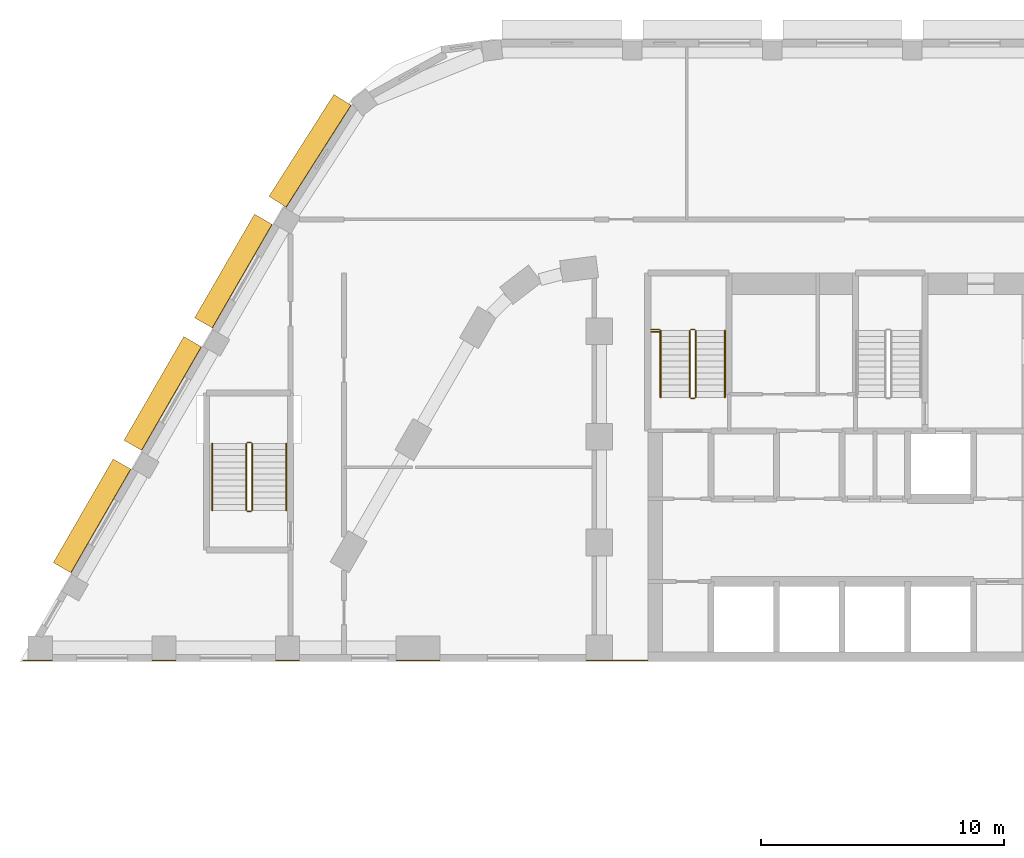
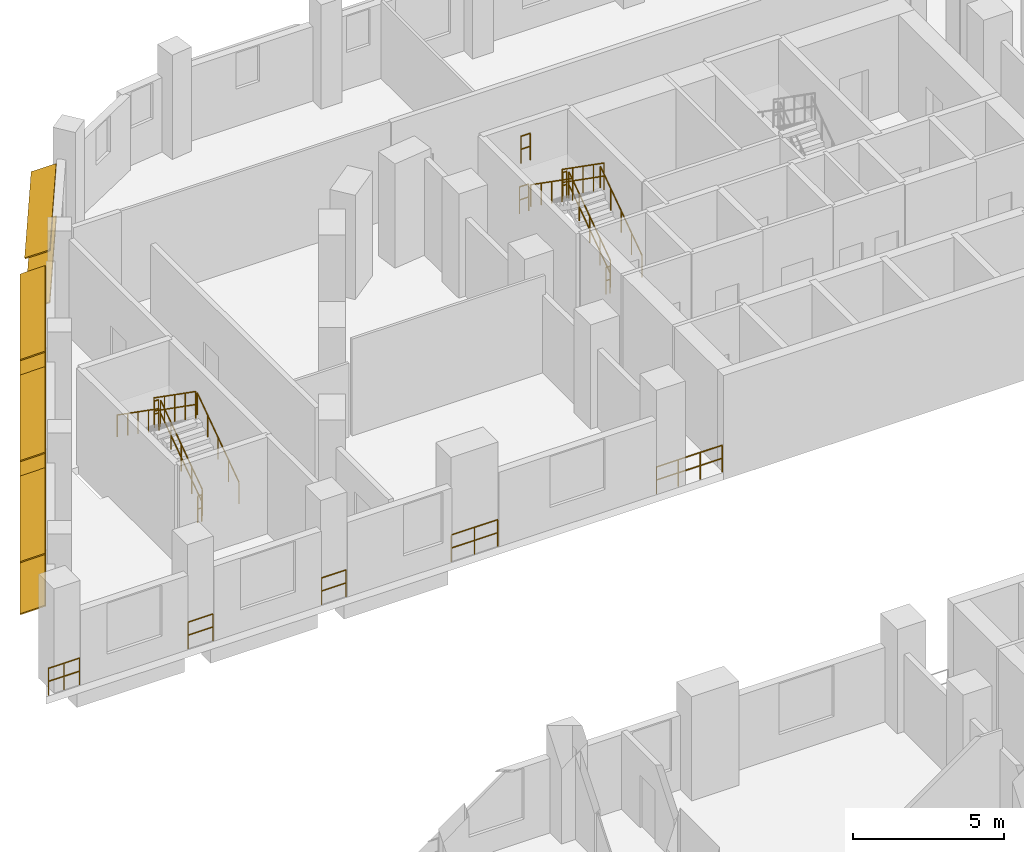
# One storey, part 30 of 33: 19 railings, 8 shading devices.
"""IFC4 building model written with IfcOpenShell, lengths in metres."""

import ifcopenshell
import ifcopenshell.guid

model = None  # the IFC model being written
_history = None  # IfcOwnerHistory: only IFC2X3 demands one
_inside = {}  # id of a spatial element -> (the spatial element, [elements in it])
_under = {}  # id of a project, library or spatial element -> (it, [spatial elements below it])
_declared = {}  # id of a project -> (the project, [libraries it declares])
_typed = {}  # id of a type object -> (the type object, [elements of that type])
_made_of = {}  # id of a material, layer set ... -> (it, [elements and type objects made of it])


def new_model(schema):
    """Start an empty IFC model of exactly this schema.

    Asked for "IFC4X3", IfcOpenShell would pick the latest addendum, in which some entities
    have other attributes; the version numbers below select the first issue.
    IFC2X3 requires an IfcOwnerHistory on every rooted entity: one is made here for all.
    """
    global model, _history
    if schema == "IFC4X3":
        model = ifcopenshell.file(schema_version=(4, 3, 0, 0))
    else:
        model = ifcopenshell.file(schema=schema)
    _inside.clear()
    _under.clear()
    _declared.clear()
    _typed.clear()
    _made_of.clear()
    _history = None
    if model.schema == "IFC2X3":
        org = make("IfcOrganization", Name="unknown")
        user = make(
            "IfcPersonAndOrganization",
            ThePerson=make("IfcPerson", FamilyName="unknown"),
            TheOrganization=org,
        )
        app = make(
            "IfcApplication",
            ApplicationDeveloper=org,
            Version="unknown",
            ApplicationFullName="unknown",
            ApplicationIdentifier="unknown",
        )
        _history = make(
            "IfcOwnerHistory",
            OwningUser=user,
            OwningApplication=app,
            ChangeAction="ADDED",
            CreationDate=0,
        )
    return model


def make(cls, **values):
    """One entity of the class cls with the attributes given. An attribute that is None is left unset."""
    return model.create_entity(
        cls, **{name: value for name, value in values.items() if value is not None}
    )


def rooted(cls, **values):
    """An entity with a GlobalId (a new one), such as an element, a storey or a relation."""
    return make(cls, GlobalId=ifcopenshell.guid.new(), OwnerHistory=_history, **values)


def si_unit(unit_type, name, prefix=None):
    """IfcSIUnit, for example si_unit("LENGTHUNIT", "METRE", prefix="MILLI")."""
    return make("IfcSIUnit", UnitType=unit_type, Prefix=prefix, Name=name)


def assignment(units):
    """IfcUnitAssignment: the units of a project."""
    return None if units is None else make("IfcUnitAssignment", Units=units)


def point(xyz):
    """IfcCartesianPoint."""
    return None if xyz is None else make("IfcCartesianPoint", Coordinates=xyz)


def direction(xyz):
    """IfcDirection."""
    return None if xyz is None else make("IfcDirection", DirectionRatios=xyz)


def frame(location, z_axis=None, x_axis=None):
    """IfcAxis2Placement3D, a coordinate frame: its origin and axes. An axis left out is left unset."""
    return make(
        "IfcAxis2Placement3D",
        Location=point(location),
        Axis=direction(z_axis),
        RefDirection=direction(x_axis),
    )


def frame_2d(location, x_axis=None):
    """IfcAxis2Placement2D, a coordinate frame in the plane: its origin and x axis."""
    return make(
        "IfcAxis2Placement2D", Location=point(location), RefDirection=direction(x_axis)
    )


def origin():
    """The frame at (0, 0, 0) with its axes left unset."""
    return frame((0.0, 0.0, 0.0))


def origin_2d():
    """The frame at (0, 0) in the plane with its x axis left unset."""
    return frame_2d((0.0, 0.0))


def place(relative_to, where):
    """IfcLocalPlacement: puts the frame where relative to a parent placement (None: the world)."""
    return make(
        "IfcLocalPlacement", PlacementRelTo=relative_to, RelativePlacement=where
    )


def context(
    kind, dimensions, precision=None, world=None, true_north=None, identifier=None
):
    """IfcGeometricRepresentationContext, for example the 3D "Model" context."""
    return make(
        "IfcGeometricRepresentationContext",
        ContextIdentifier=identifier,
        ContextType=kind,
        CoordinateSpaceDimension=dimensions,
        Precision=precision,
        WorldCoordinateSystem=world,
        TrueNorth=true_north,
    )


def subcontext(parent, identifier, kind, view, scale=None):
    """IfcGeometricRepresentationSubContext, for example "Body" below "Model"."""
    return make(
        "IfcGeometricRepresentationSubContext",
        ContextIdentifier=identifier,
        ContextType=kind,
        ParentContext=parent,
        TargetScale=scale,
        TargetView=view,
    )


def project(units=None, contexts=None):
    """IfcProject with its units and contexts."""
    return rooted(
        "IfcProject",
        Name="project",
        RepresentationContexts=contexts,
        UnitsInContext=assignment(units),
    )


def spatial(cls, under=None, at=None, **own):
    """A site, building, storey or space (cls), placed at a placement, below another one or the project."""
    s = rooted(cls, ObjectPlacement=at, **own)
    if under is not None:
        _under.setdefault(under.id(), (under, []))[1].append(s)
    return s


def profile(cls, at=None, kind="AREA", **sizes):
    """A parametric profile (cls). Its sizes go by their IFC names, for example OverallWidth=200.0."""
    return make(cls, ProfileType=kind, Position=at, **sizes)


def rectangle(**sizes):
    """IfcRectangleProfileDef."""
    return profile("IfcRectangleProfileDef", **sizes)


def circle(**sizes):
    """IfcCircleProfileDef."""
    return profile("IfcCircleProfileDef", **sizes)


def extrude(swept, where, along, depth):
    """IfcExtrudedAreaSolid: the profile swept, set in the frame where, extruded along a direction by depth."""
    return make(
        "IfcExtrudedAreaSolid",
        SweptArea=swept,
        Position=where,
        ExtrudedDirection=direction(along),
        Depth=depth,
    )


def shape(context_of_items, identifier, shape_type, items):
    """IfcShapeRepresentation: the items that make up one representation, for example the "Body"."""
    return make(
        "IfcShapeRepresentation",
        ContextOfItems=context_of_items,
        RepresentationIdentifier=identifier,
        RepresentationType=shape_type,
        Items=items,
    )


def material(Name=None, Category=None):
    """IfcMaterial."""
    return make("IfcMaterial", Name=Name, Category=Category)


def material_profile(
    of_material, cross_section, Name=None, Category=None, Priority=None
):
    """IfcMaterialProfile: a cross section and its material."""
    return make(
        "IfcMaterialProfile",
        Name=Name,
        Material=of_material,
        Profile=cross_section,
        Priority=Priority,
        Category=Category,
    )


def profile_set(profiles, Name=None, composite=None):
    """IfcMaterialProfileSet."""
    return make(
        "IfcMaterialProfileSet",
        Name=Name,
        MaterialProfiles=profiles,
        CompositeProfile=composite,
    )


def made_of(thing, what):
    """Note that an element or type object is made of a material, layer set ...; save() writes the relation."""
    if what is not None:
        _made_of.setdefault(what.id(), (what, []))[1].append(thing)
    return thing


def type_object(cls, material=None, **own):
    """A type object (cls), such as IfcWallType, which elements share."""
    return made_of(rooted(cls, **own), material)


def element(
    cls,
    number,
    at=None,
    inside=None,
    cuts=None,
    type_object=None,
    material=None,
    context=None,
    identifier="Body",
    shape_type=None,
    held_by="IfcProductDefinitionShape",
    body=None,
    shapes=None,
    **own,
):
    """One element of the class cls, such as IfcWall. Its Tag is "e" and its number.

    at: its placement. inside: the storey or other place that contains it. cuts: it is an
    opening in that element (IfcRelVoidsElement). A single representation is given by context,
    identifier, shape_type and body (its items); several are given by shapes. held_by: the class
    of the entity that holds the representations. save() writes the other relations.
    """
    e = rooted(cls, Tag="e%d" % number, ObjectPlacement=at, **own)
    if body is not None:
        shapes = [shape(context, identifier, shape_type, body)]
    if shapes is not None:
        e.Representation = make(held_by, Representations=shapes)
    if inside is not None:
        _inside.setdefault(inside.id(), (inside, []))[1].append(e)
    if cuts is not None:
        rooted(
            "IfcRelVoidsElement", RelatingBuildingElement=cuts, RelatedOpeningElement=e
        )
    if type_object is not None:
        _typed.setdefault(type_object.id(), (type_object, []))[1].append(e)
    return made_of(e, material)


def aggregate(whole, parts):
    """IfcRelAggregates: a whole, such as a stair, and the parts it consists of."""
    return rooted("IfcRelAggregates", RelatingObject=whole, RelatedObjects=parts)


def save(model, path):
    """Write the relations noted so far, then the file.

    IfcRelAggregates (storeys below a building ...), IfcRelContainedInSpatialStructure (elements
    in a storey), IfcRelDefinesByType, IfcRelAssociatesMaterial and IfcRelDeclares: one each for
    every whole, place, type object, material and project.
    """
    for whole, parts in _under.values():
        aggregate(whole, parts)
    for where, things in _inside.values():
        rooted(
            "IfcRelContainedInSpatialStructure",
            RelatedElements=things,
            RelatingStructure=where,
        )
    for kind, things in _typed.values():
        rooted("IfcRelDefinesByType", RelatedObjects=things, RelatingType=kind)
    for what, things in _made_of.values():
        rooted("IfcRelAssociatesMaterial", RelatedObjects=things, RelatingMaterial=what)
    for by, libraries in _declared.values():
        rooted("IfcRelDeclares", RelatingContext=by, RelatedDefinitions=libraries)
    model.write(path)


model = new_model("IFC4")

# Units and contexts
model_context = context("Model", 3, precision=1e-05, world=origin(), true_north=direction((0.0, 1.0)))
body_context = subcontext(model_context, "Body", "Model", "MODEL_VIEW")
ifc_project = project(units=[si_unit("LENGTHUNIT", "METRE"), si_unit("AREAUNIT", "SQUARE_METRE"), si_unit("VOLUMEUNIT", "CUBIC_METRE"), si_unit("PLANEANGLEUNIT", "RADIAN"), si_unit("MASSUNIT", "GRAM", prefix="KILO")], contexts=[model_context])

# Site, building, storey
site_placement = place(None, origin())
site = spatial("IfcSite", under=ifc_project, at=site_placement, CompositionType="ELEMENT")
building_placement = place(site_placement, origin())
building = spatial("IfcBuilding", under=site, at=building_placement, Name="Nakaniwa Court", CompositionType="ELEMENT")
storey_placement = place(building_placement, frame((0.0, 0.0, 19.800048828125)))
storey = spatial("IfcBuildingStorey", under=building, at=storey_placement, Name="L04", CompositionType="ELEMENT", Elevation=19.800048828125)

# Shading devices
ifc_material_1 = material(Name="Perforated charcoal ceramic louvre blade")
ifc_material_profile = material_profile(ifc_material_1, rectangle(XDim=0.89990234375, YDim=0.050048828125, at=origin_2d()), Name="Perforated ceramic louvre blade")
ifc_profile_set = profile_set([ifc_material_profile], Name="Perforated charcoal ceramic louvre blade")
shading_device_type = type_object("IfcShadingDeviceType", Name="Perforated ceramic louvre blade", PredefinedType="JALOUSIE", material=ifc_profile_set)
for number, where, z_axis, x_axis, name in (
    (1, (56.184814453125, 105.6015625, 0.550048828125), (-0.499988503985, -0.86603204091, 0.0), (0.800109277096, -0.461929145323, 0.382683432365), "L04 perforated ceramic louvre blade w27 1"),
    (2, (56.184814453125, 105.6015625, 2.64990234375), (-0.499988503985, -0.86603204091, 0.0), (0.800109277096, -0.461929145323, 0.382683432365), "L04 perforated ceramic louvre blade w27 2"),
    (3, (53.2763671875, 100.564208984375, 0.550048828125), (-0.499951322638, -0.866053505849, 0.0), (0.800129108113, -0.461894794237, 0.382683432365), "L04 perforated ceramic louvre blade w28 1"),
    (4, (53.2763671875, 100.564208984375, 2.64990234375), (-0.499951322638, -0.866053505849, 0.0), (0.800129108113, -0.461894794237, 0.382683432365), "L04 perforated ceramic louvre blade w28 2"),
    (5, (50.3681640625, 95.526611328125, 0.550048828125), (-0.500009969958, -0.86601964755, 0.0), (0.800097827124, -0.461948977295, 0.382683432365), "L04 perforated ceramic louvre blade w29 1"),
    (6, (50.3681640625, 95.526611328125, 2.64990234375), (-0.500009969958, -0.86601964755, 0.0), (0.800097827124, -0.461948977295, 0.382683432365), "L04 perforated ceramic louvre blade w29 2"),
):
    element("IfcShadingDevice", number, at=place(storey_placement, frame(where, z_axis=z_axis, x_axis=x_axis)), inside=storey, type_object=shading_device_type, Name=name, PredefinedType="JALOUSIE", context=body_context, shape_type="SweptSolid", body=[
        extrude(rectangle(XDim=0.89990234375, YDim=0.050048828125, at=origin_2d()), origin(), (0.0, 0.0, 1.0), 4.9248046875),
    ])
for number, where, z_axis, x_axis, name in (
    (7, (59.44287109375, 110.513427734375, 0.550048828125), (-0.537237750098, -0.843430850675, 0.0), (0.775805827955, -0.494162831713, 0.392337116604), "L04 perforated ceramic louvre blade w53 1"),
    (8, (59.44287109375, 110.513427734375, 2.64990234375), (-0.537237750098, -0.843430850675, 0.0), (0.775805827955, -0.494162831713, 0.392337116604), "L04 perforated ceramic louvre blade w53 2"),
):
    element("IfcShadingDevice", number, at=place(storey_placement, frame(where, z_axis=z_axis, x_axis=x_axis)), inside=storey, type_object=shading_device_type, Name=name, PredefinedType="JALOUSIE", context=body_context, shape_type="SweptSolid", body=[
        extrude(rectangle(XDim=0.89990234375, YDim=0.050048828125, at=origin_2d()), origin(), (0.0, 0.0, 1.0), 4.970703125),
    ])

# Railings
ifc_material_2 = material(Name="Black powder coated steel guard", Category="steel")
railing_type_1 = type_object("IfcRailingType", Name="Stair guard 1100", PredefinedType="GUARDRAIL", material=ifc_material_2)
railing_1_placement = place(storey_placement, frame((73.97509765625, 98.27490234375, 0.175048828125)))
element("IfcRailing", 9, at=railing_1_placement, inside=storey, type_object=railing_type_1, Name="L04 ST1 stair guard 1", PredefinedType="GUARDRAIL", context=body_context, shape_type="SweptSolid", body=[
    extrude(circle(Radius=0.02392578125, at=origin_2d()), frame((0.0, 0.0, 1.076171875), z_axis=(0.0, 0.819259255306, 0.573423292687), x_axis=(-1.0, 0.0, 0.0)), (0.0, 0.0, 1.0), 3.356689453125),
    extrude(circle(Radius=0.02392578125, at=origin_2d()), frame((0.0, 0.0, 0.550048828125), z_axis=(0.0, 0.819259255306, 0.573423292687), x_axis=(-1.0, 0.0, 0.0)), (0.0, 0.0, 1.0), 3.356689453125),
    extrude(circle(Radius=0.02099609375, at=origin_2d()), origin(), (0.0, 0.0, 1.0), 1.052001953125),
    extrude(circle(Radius=0.02099609375, at=origin_2d()), frame((0.0, 0.6875, 0.481201171875)), (0.0, 0.0, 1.0), 1.052001953125),
    extrude(circle(Radius=0.02099609375, at=origin_2d()), frame((0.0, 1.375, 0.96240234375)), (0.0, 0.0, 1.0), 1.052001953125),
    extrude(circle(Radius=0.02099609375, at=origin_2d()), frame((0.0, 2.0625, 1.443603515625)), (0.0, 0.0, 1.0), 1.052001953125),
    extrude(circle(Radius=0.02099609375, at=origin_2d()), frame((0.0, 2.75, 1.9248046875)), (0.0, 0.0, 1.0), 1.052001953125),
])
railing_2_placement = place(storey_placement, frame((73.925048828125, 101.074951171875, 2.099853515625)))
element("IfcRailing", 10, at=railing_2_placement, inside=storey, type_object=railing_type_1, Name="L04 ST1 stair guard 2", PredefinedType="GUARDRAIL", context=body_context, shape_type="SweptSolid", body=[
    extrude(circle(Radius=0.02392578125, at=origin_2d()), frame((0.0, 0.0, 1.076171875), z_axis=(-1.0, 0.0, 0.0), x_axis=(0.0, -1.0, 0.0)), (0.0, 0.0, 1.0), 0.150146484375),
    extrude(circle(Radius=0.02392578125, at=origin_2d()), frame((0.0, 0.0, 0.550048828125), z_axis=(-1.0, 0.0, 0.0), x_axis=(0.0, -1.0, 0.0)), (0.0, 0.0, 1.0), 0.150146484375),
    extrude(circle(Radius=0.02099609375, at=origin_2d()), origin(), (0.0, 0.0, 1.0), 1.052001953125),
    extrude(circle(Radius=0.02099609375, at=origin_2d()), frame((-0.150146484375, 0.0, 0.0)), (0.0, 0.0, 1.0), 1.052001953125),
])
railing_3_placement = place(storey_placement, frame((73.72509765625, 101.02490234375, 2.27490234375)))
element("IfcRailing", 11, at=railing_3_placement, inside=storey, type_object=railing_type_1, Name="L04 ST1 stair guard 3", PredefinedType="GUARDRAIL", context=body_context, shape_type="SweptSolid", body=[
    extrude(circle(Radius=0.02392578125, at=origin_2d()), frame((0.0, 0.0, 1.076171875), z_axis=(0.0, -0.819225086817, 0.573472106672), x_axis=(1.0, 0.0, 0.0)), (0.0, 0.0, 1.0), 3.35693359375),
    extrude(circle(Radius=0.02392578125, at=origin_2d()), frame((0.0, 0.0, 0.550048828125), z_axis=(0.0, -0.819225086817, 0.573472106672), x_axis=(1.0, 0.0, 0.0)), (0.0, 0.0, 1.0), 3.35693359375),
    extrude(circle(Radius=0.02099609375, at=origin_2d()), origin(), (0.0, 0.0, 1.0), 1.052001953125),
    extrude(circle(Radius=0.02099609375, at=origin_2d()), frame((0.0, -0.6875, 0.481201171875)), (0.0, 0.0, 1.0), 1.052001953125),
    extrude(circle(Radius=0.02099609375, at=origin_2d()), frame((0.0, -1.375, 0.96240234375)), (0.0, 0.0, 1.0), 1.052001953125),
    extrude(circle(Radius=0.02099609375, at=origin_2d()), frame((0.0, -2.0625, 1.44384765625)), (0.0, 0.0, 1.0), 1.052001953125),
    extrude(circle(Radius=0.02099609375, at=origin_2d()), frame((0.0, -2.75, 1.925048828125)), (0.0, 0.0, 1.0), 1.052001953125),
])
railing_4_placement = place(storey_placement, frame((73.925048828125, 98.22509765625, 0.0)))
element("IfcRailing", 12, at=railing_4_placement, inside=storey, type_object=railing_type_1, Name="L04 ST1 stair guard 4", PredefinedType="GUARDRAIL", context=body_context, shape_type="SweptSolid", body=[
    extrude(circle(Radius=0.02392578125, at=origin_2d()), frame((0.0, 0.0, 1.076171875), z_axis=(-1.0, 0.0, 0.0), x_axis=(0.0, -1.0, 0.0)), (0.0, 0.0, 1.0), 0.150146484375),
    extrude(circle(Radius=0.02392578125, at=origin_2d()), frame((0.0, 0.0, 0.550048828125), z_axis=(-1.0, 0.0, 0.0), x_axis=(0.0, -1.0, 0.0)), (0.0, 0.0, 1.0), 0.150146484375),
    extrude(circle(Radius=0.02099609375, at=origin_2d()), origin(), (0.0, 0.0, 1.0), 1.052001953125),
    extrude(circle(Radius=0.02099609375, at=origin_2d()), frame((-0.150146484375, 0.0, 0.0)), (0.0, 0.0, 1.0), 1.052001953125),
])
for number, where, name in (
    (13, (72.125, 101.074951171875, 2.099853515625), "L04 ST1 landing side guard 1W"),
    (14, (72.125, 100.97509765625, 4.199951171875), "L04 ST1 floor edge guard 1W"),
):
    element("IfcRailing", number, at=place(storey_placement, frame(where)), inside=storey, type_object=railing_type_1, Name=name, PredefinedType="GUARDRAIL", context=body_context, shape_type="SweptSolid", body=[
        extrude(circle(Radius=0.02392578125, at=origin_2d()), frame((0.0, 0.0, 1.076171875), z_axis=(1.0, 0.0, 0.0), x_axis=(0.0, 1.0, 0.0)), (0.0, 0.0, 1.0), 0.35009765625),
        extrude(circle(Radius=0.02392578125, at=origin_2d()), frame((0.0, 0.0, 0.550048828125), z_axis=(1.0, 0.0, 0.0), x_axis=(0.0, 1.0, 0.0)), (0.0, 0.0, 1.0), 0.35009765625),
        extrude(circle(Radius=0.02099609375, at=origin_2d()), origin(), (0.0, 0.0, 1.0), 1.052001953125),
        extrude(circle(Radius=0.02099609375, at=origin_2d()), frame((0.35009765625, 0.0, 0.0)), (0.0, 0.0, 1.0), 1.052001953125),
    ])
railing_5_placement = place(storey_placement, frame((55.72509765625, 93.625, 0.175048828125)))
element("IfcRailing", 15, at=railing_5_placement, inside=storey, type_object=railing_type_1, Name="L04 SS2 stair guard 1", PredefinedType="GUARDRAIL", context=body_context, shape_type="SweptSolid", body=[
    extrude(circle(Radius=0.02392578125, at=origin_2d()), frame((0.0, 0.0, 1.076171875), z_axis=(0.0, 0.819259255306, 0.573423292687), x_axis=(-1.0, 0.0, 0.0)), (0.0, 0.0, 1.0), 3.356689453125),
    extrude(circle(Radius=0.02392578125, at=origin_2d()), frame((0.0, 0.0, 0.550048828125), z_axis=(0.0, 0.819259255306, 0.573423292687), x_axis=(-1.0, 0.0, 0.0)), (0.0, 0.0, 1.0), 3.356689453125),
    extrude(circle(Radius=0.02099609375, at=origin_2d()), origin(), (0.0, 0.0, 1.0), 1.052001953125),
    extrude(circle(Radius=0.02099609375, at=origin_2d()), frame((0.0, 0.6875, 0.481201171875)), (0.0, 0.0, 1.0), 1.052001953125),
    extrude(circle(Radius=0.02099609375, at=origin_2d()), frame((0.0, 1.375, 0.96240234375)), (0.0, 0.0, 1.0), 1.052001953125),
    extrude(circle(Radius=0.02099609375, at=origin_2d()), frame((0.0, 2.0625, 1.443603515625)), (0.0, 0.0, 1.0), 1.052001953125),
    extrude(circle(Radius=0.02099609375, at=origin_2d()), frame((0.0, 2.75, 1.9248046875)), (0.0, 0.0, 1.0), 1.052001953125),
])
railing_6_placement = place(storey_placement, frame((55.675048828125, 96.425048828125, 2.099853515625)))
element("IfcRailing", 16, at=railing_6_placement, inside=storey, type_object=railing_type_1, Name="L04 SS2 stair guard 2", PredefinedType="GUARDRAIL", context=body_context, shape_type="SweptSolid", body=[
    extrude(circle(Radius=0.02392578125, at=origin_2d()), frame((0.0, 0.0, 1.076171875), z_axis=(-1.0, 0.0, 0.0), x_axis=(0.0, -1.0, 0.0)), (0.0, 0.0, 1.0), 0.150146484375),
    extrude(circle(Radius=0.02392578125, at=origin_2d()), frame((0.0, 0.0, 0.550048828125), z_axis=(-1.0, 0.0, 0.0), x_axis=(0.0, -1.0, 0.0)), (0.0, 0.0, 1.0), 0.150146484375),
    extrude(circle(Radius=0.02099609375, at=origin_2d()), origin(), (0.0, 0.0, 1.0), 1.052001953125),
    extrude(circle(Radius=0.02099609375, at=origin_2d()), frame((-0.150146484375, 0.0, 0.0)), (0.0, 0.0, 1.0), 1.052001953125),
])
railing_7_placement = place(storey_placement, frame((55.47509765625, 96.375, 2.27490234375)))
element("IfcRailing", 17, at=railing_7_placement, inside=storey, type_object=railing_type_1, Name="L04 SS2 stair guard 3", PredefinedType="GUARDRAIL", context=body_context, shape_type="SweptSolid", body=[
    extrude(circle(Radius=0.02392578125, at=origin_2d()), frame((0.0, 0.0, 1.076171875), z_axis=(0.0, -0.819225086817, 0.573472106672), x_axis=(1.0, 0.0, 0.0)), (0.0, 0.0, 1.0), 3.35693359375),
    extrude(circle(Radius=0.02392578125, at=origin_2d()), frame((0.0, 0.0, 0.550048828125), z_axis=(0.0, -0.819225086817, 0.573472106672), x_axis=(1.0, 0.0, 0.0)), (0.0, 0.0, 1.0), 3.35693359375),
    extrude(circle(Radius=0.02099609375, at=origin_2d()), origin(), (0.0, 0.0, 1.0), 1.052001953125),
    extrude(circle(Radius=0.02099609375, at=origin_2d()), frame((0.0, -0.6875, 0.481201171875)), (0.0, 0.0, 1.0), 1.052001953125),
    extrude(circle(Radius=0.02099609375, at=origin_2d()), frame((0.0, -1.375, 0.96240234375)), (0.0, 0.0, 1.0), 1.052001953125),
    extrude(circle(Radius=0.02099609375, at=origin_2d()), frame((0.0, -2.0625, 1.44384765625)), (0.0, 0.0, 1.0), 1.052001953125),
    extrude(circle(Radius=0.02099609375, at=origin_2d()), frame((0.0, -2.75, 1.925048828125)), (0.0, 0.0, 1.0), 1.052001953125),
])
railing_8_placement = place(storey_placement, frame((55.675048828125, 93.574951171875, 0.0)))
element("IfcRailing", 18, at=railing_8_placement, inside=storey, type_object=railing_type_1, Name="L04 SS2 stair guard 4", PredefinedType="GUARDRAIL", context=body_context, shape_type="SweptSolid", body=[
    extrude(circle(Radius=0.02392578125, at=origin_2d()), frame((0.0, 0.0, 1.076171875), z_axis=(-1.0, 0.0, 0.0), x_axis=(0.0, -1.0, 0.0)), (0.0, 0.0, 1.0), 0.150146484375),
    extrude(circle(Radius=0.02392578125, at=origin_2d()), frame((0.0, 0.0, 0.550048828125), z_axis=(-1.0, 0.0, 0.0), x_axis=(0.0, -1.0, 0.0)), (0.0, 0.0, 1.0), 0.150146484375),
    extrude(circle(Radius=0.02099609375, at=origin_2d()), origin(), (0.0, 0.0, 1.0), 1.052001953125),
    extrude(circle(Radius=0.02099609375, at=origin_2d()), frame((-0.150146484375, 0.0, 0.0)), (0.0, 0.0, 1.0), 1.052001953125),
])
railing_9_placement = place(storey_placement, frame((71.985107421875, 87.449951171875, 0.0)))
element("IfcRailing", 19, at=railing_9_placement, inside=storey, type_object=railing_type_1, Name="GUARD GD-L04-076", PredefinedType="GUARDRAIL", context=body_context, shape_type="SweptSolid", body=[
    extrude(circle(Radius=0.02392578125, at=origin_2d()), frame((0.0, 0.0, 1.076171875), z_axis=(-1.0, 0.0, 0.0), x_axis=(0.0, -1.0, 0.0)), (0.0, 0.0, 1.0), 2.507080078125),
    extrude(circle(Radius=0.02392578125, at=origin_2d()), frame((0.0, 0.0, 0.550048828125), z_axis=(-1.0, 0.0, 0.0), x_axis=(0.0, -1.0, 0.0)), (0.0, 0.0, 1.0), 2.507080078125),
    extrude(circle(Radius=0.02099609375, at=origin_2d()), origin(), (0.0, 0.0, 1.0), 1.052001953125),
    extrude(circle(Radius=0.02099609375, at=origin_2d()), frame((-0.835693359375, 0.0, 0.0)), (0.0, 0.0, 1.0), 1.052001953125),
    extrude(circle(Radius=0.02099609375, at=origin_2d()), frame((-1.67138671875, 0.0, 0.0)), (0.0, 0.0, 1.0), 1.052001953125),
    extrude(circle(Radius=0.02099609375, at=origin_2d()), frame((-2.507080078125, 0.0, 0.0)), (0.0, 0.0, 1.0), 1.052001953125),
])
railing_10_placement = place(storey_placement, frame((63.426025390625, 87.449951171875, 0.0)))
element("IfcRailing", 20, at=railing_10_placement, inside=storey, type_object=railing_type_1, Name="GUARD GD-L04-077", PredefinedType="GUARDRAIL", context=body_context, shape_type="SweptSolid", body=[
    extrude(circle(Radius=0.02392578125, at=origin_2d()), frame((0.0, 0.0, 1.076171875), z_axis=(-1.0, 0.0, 0.0), x_axis=(0.0, -1.0, 0.0)), (0.0, 0.0, 1.0), 1.768310546875),
    extrude(circle(Radius=0.02392578125, at=origin_2d()), frame((0.0, 0.0, 0.550048828125), z_axis=(-1.0, 0.0, 0.0), x_axis=(0.0, -1.0, 0.0)), (0.0, 0.0, 1.0), 1.768310546875),
    extrude(circle(Radius=0.02099609375, at=origin_2d()), origin(), (0.0, 0.0, 1.0), 1.052001953125),
    extrude(circle(Radius=0.02099609375, at=origin_2d()), frame((-0.88427734375, 0.0, 0.0)), (0.0, 0.0, 1.0), 1.052001953125),
    extrude(circle(Radius=0.02099609375, at=origin_2d()), frame((-1.768310546875, 0.0, 0.0)), (0.0, 0.0, 1.0), 1.052001953125),
])
railing_11_placement = place(storey_placement, frame((57.643310546875, 87.449951171875, 0.0)))
element("IfcRailing", 21, at=railing_11_placement, inside=storey, type_object=railing_type_1, Name="GUARD GD-L04-078", PredefinedType="GUARDRAIL", context=body_context, shape_type="SweptSolid", body=[
    extrude(circle(Radius=0.02392578125, at=origin_2d()), frame((0.0, 0.0, 1.076171875), z_axis=(-1.0, 0.0, 0.0), x_axis=(0.0, -1.0, 0.0)), (0.0, 0.0, 1.0), 0.939453125),
    extrude(circle(Radius=0.02392578125, at=origin_2d()), frame((0.0, 0.0, 0.550048828125), z_axis=(-1.0, 0.0, 0.0), x_axis=(0.0, -1.0, 0.0)), (0.0, 0.0, 1.0), 0.939453125),
    extrude(circle(Radius=0.02099609375, at=origin_2d()), origin(), (0.0, 0.0, 1.0), 1.052001953125),
    extrude(circle(Radius=0.02099609375, at=origin_2d()), frame((-0.939453125, 0.0, 0.0)), (0.0, 0.0, 1.0), 1.052001953125),
])
railing_12_placement = place(storey_placement, frame((52.569580078125, 87.449951171875, 0.0)))
element("IfcRailing", 22, at=railing_12_placement, inside=storey, type_object=railing_type_1, Name="GUARD GD-L04-079", PredefinedType="GUARDRAIL", context=body_context, shape_type="SweptSolid", body=[
    extrude(circle(Radius=0.02392578125, at=origin_2d()), frame((0.0, 0.0, 1.076171875), z_axis=(-1.0, 0.0, 0.0), x_axis=(0.0, -1.0, 0.0)), (0.0, 0.0, 1.0), 0.95947265625),
    extrude(circle(Radius=0.02392578125, at=origin_2d()), frame((0.0, 0.0, 0.550048828125), z_axis=(-1.0, 0.0, 0.0), x_axis=(0.0, -1.0, 0.0)), (0.0, 0.0, 1.0), 0.95947265625),
    extrude(circle(Radius=0.02099609375, at=origin_2d()), origin(), (0.0, 0.0, 1.0), 1.052001953125),
    extrude(circle(Radius=0.02099609375, at=origin_2d()), frame((-0.95947265625, 0.0, 0.0)), (0.0, 0.0, 1.0), 1.052001953125),
])
railing_13_placement = place(storey_placement, frame((47.486083984375, 87.449951171875, 0.0)))
element("IfcRailing", 23, at=railing_13_placement, inside=storey, type_object=railing_type_1, Name="GUARD GD-L04-080", PredefinedType="GUARDRAIL", context=body_context, shape_type="SweptSolid", body=[
    extrude(circle(Radius=0.02392578125, at=origin_2d()), frame((0.0, 0.0, 1.076171875), z_axis=(-1.0, 0.0, 0.0), x_axis=(0.0, -1.0, 0.0)), (0.0, 0.0, 1.0), 1.18896484375),
    extrude(circle(Radius=0.02392578125, at=origin_2d()), frame((0.0, 0.0, 0.550048828125), z_axis=(-1.0, 0.0, 0.0), x_axis=(0.0, -1.0, 0.0)), (0.0, 0.0, 1.0), 1.18896484375),
    extrude(circle(Radius=0.02099609375, at=origin_2d()), origin(), (0.0, 0.0, 1.0), 1.052001953125),
    extrude(circle(Radius=0.02099609375, at=origin_2d()), frame((-0.594482421875, 0.0, 0.0)), (0.0, 0.0, 1.0), 1.052001953125),
    extrude(circle(Radius=0.02099609375, at=origin_2d()), frame((-1.18896484375, 0.0, 0.0)), (0.0, 0.0, 1.0), 1.052001953125),
])
ifc_material_3 = material(Name="Black powder coated steel handrail", Category="steel")
railing_type_2 = type_object("IfcRailingType", Name="Stair handrail 900", PredefinedType="HANDRAIL", material=ifc_material_3)
railing_14_placement = place(storey_placement, frame((75.175048828125, 98.27490234375, 0.175048828125)))
element("IfcRailing", 24, at=railing_14_placement, inside=storey, type_object=railing_type_2, Name="L04 ST1 stair handrail 1", PredefinedType="HANDRAIL", context=body_context, shape_type="SweptSolid", body=[
    extrude(circle(Radius=0.02392578125, at=origin_2d()), frame((0.0, 0.0, 0.8759765625), z_axis=(0.0, 0.819259255306, 0.573423292687), x_axis=(-1.0, 0.0, 0.0)), (0.0, 0.0, 1.0), 3.356689453125),
    extrude(circle(Radius=0.02099609375, at=origin_2d()), origin(), (0.0, 0.0, 1.0), 0.851806640625),
    extrude(circle(Radius=0.02099609375, at=origin_2d()), frame((0.0, 0.6875, 0.481201171875)), (0.0, 0.0, 1.0), 0.851806640625),
    extrude(circle(Radius=0.02099609375, at=origin_2d()), frame((0.0, 1.375, 0.96240234375)), (0.0, 0.0, 1.0), 0.851806640625),
    extrude(circle(Radius=0.02099609375, at=origin_2d()), frame((0.0, 2.0625, 1.443603515625)), (0.0, 0.0, 1.0), 0.851806640625),
    extrude(circle(Radius=0.02099609375, at=origin_2d()), frame((0.0, 2.75, 1.9248046875)), (0.0, 0.0, 1.0), 0.851806640625),
])
railing_15_placement = place(storey_placement, frame((72.52490234375, 101.02490234375, 2.27490234375)))
element("IfcRailing", 25, at=railing_15_placement, inside=storey, type_object=railing_type_2, Name="L04 ST1 stair handrail 2", PredefinedType="HANDRAIL", context=body_context, shape_type="SweptSolid", body=[
    extrude(circle(Radius=0.02392578125, at=origin_2d()), frame((0.0, 0.0, 0.8759765625), z_axis=(0.0, -0.819225086817, 0.573472106672), x_axis=(1.0, 0.0, 0.0)), (0.0, 0.0, 1.0), 3.35693359375),
    extrude(circle(Radius=0.02099609375, at=origin_2d()), origin(), (0.0, 0.0, 1.0), 0.851806640625),
    extrude(circle(Radius=0.02099609375, at=origin_2d()), frame((0.0, -0.6875, 0.481201171875)), (0.0, 0.0, 1.0), 0.851806640625),
    extrude(circle(Radius=0.02099609375, at=origin_2d()), frame((0.0, -1.375, 0.96240234375)), (0.0, 0.0, 1.0), 0.851806640625),
    extrude(circle(Radius=0.02099609375, at=origin_2d()), frame((0.0, -2.0625, 1.44384765625)), (0.0, 0.0, 1.0), 0.851806640625),
    extrude(circle(Radius=0.02099609375, at=origin_2d()), frame((0.0, -2.75, 1.925048828125)), (0.0, 0.0, 1.0), 0.851806640625),
])
railing_16_placement = place(storey_placement, frame((57.125, 93.625, 0.175048828125)))
element("IfcRailing", 26, at=railing_16_placement, inside=storey, type_object=railing_type_2, Name="L04 SS2 stair handrail 1", PredefinedType="HANDRAIL", context=body_context, shape_type="SweptSolid", body=[
    extrude(circle(Radius=0.02392578125, at=origin_2d()), frame((0.0, 0.0, 0.8759765625), z_axis=(0.0, 0.819259255306, 0.573423292687), x_axis=(-1.0, 0.0, 0.0)), (0.0, 0.0, 1.0), 3.356689453125),
    extrude(circle(Radius=0.02099609375, at=origin_2d()), origin(), (0.0, 0.0, 1.0), 0.851806640625),
    extrude(circle(Radius=0.02099609375, at=origin_2d()), frame((0.0, 0.6875, 0.481201171875)), (0.0, 0.0, 1.0), 0.851806640625),
    extrude(circle(Radius=0.02099609375, at=origin_2d()), frame((0.0, 1.375, 0.96240234375)), (0.0, 0.0, 1.0), 0.851806640625),
    extrude(circle(Radius=0.02099609375, at=origin_2d()), frame((0.0, 2.0625, 1.443603515625)), (0.0, 0.0, 1.0), 0.851806640625),
    extrude(circle(Radius=0.02099609375, at=origin_2d()), frame((0.0, 2.75, 1.9248046875)), (0.0, 0.0, 1.0), 0.851806640625),
])
railing_17_placement = place(storey_placement, frame((54.074951171875, 96.375, 2.27490234375)))
element("IfcRailing", 27, at=railing_17_placement, inside=storey, type_object=railing_type_2, Name="L04 SS2 stair handrail 2", PredefinedType="HANDRAIL", context=body_context, shape_type="SweptSolid", body=[
    extrude(circle(Radius=0.02392578125, at=origin_2d()), frame((0.0, 0.0, 0.8759765625), z_axis=(0.0, -0.819225086817, 0.573472106672), x_axis=(1.0, 0.0, 0.0)), (0.0, 0.0, 1.0), 3.35693359375),
    extrude(circle(Radius=0.02099609375, at=origin_2d()), origin(), (0.0, 0.0, 1.0), 0.851806640625),
    extrude(circle(Radius=0.02099609375, at=origin_2d()), frame((0.0, -0.6875, 0.481201171875)), (0.0, 0.0, 1.0), 0.851806640625),
    extrude(circle(Radius=0.02099609375, at=origin_2d()), frame((0.0, -1.375, 0.96240234375)), (0.0, 0.0, 1.0), 0.851806640625),
    extrude(circle(Radius=0.02099609375, at=origin_2d()), frame((0.0, -2.0625, 1.44384765625)), (0.0, 0.0, 1.0), 0.851806640625),
    extrude(circle(Radius=0.02099609375, at=origin_2d()), frame((0.0, -2.75, 1.925048828125)), (0.0, 0.0, 1.0), 0.851806640625),
])

save(model, "model.ifc")
